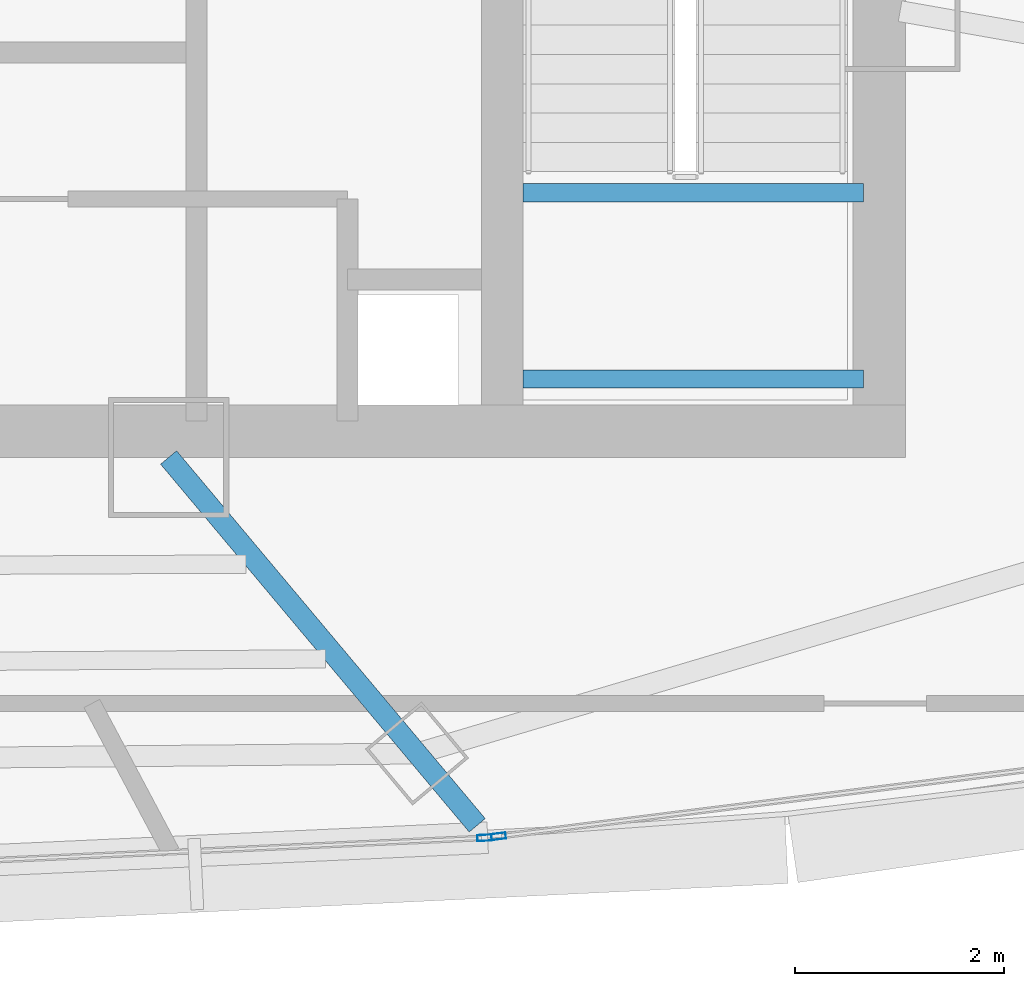
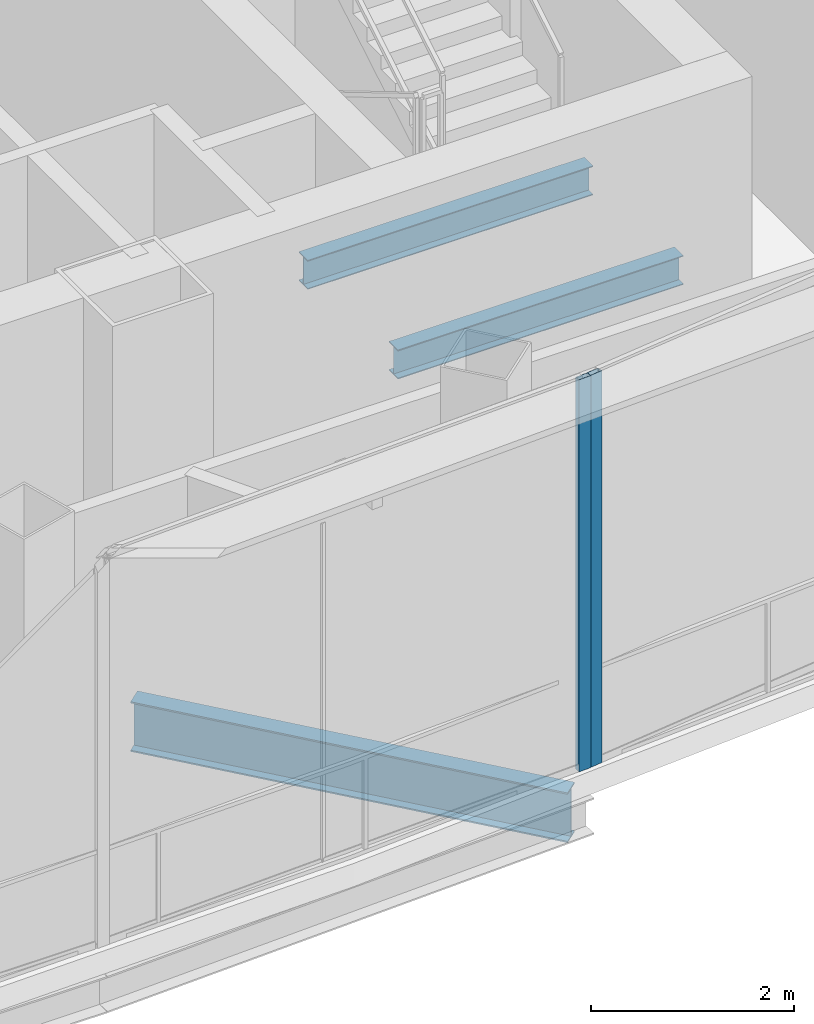
# One storey, part 10 of 29: 3 beams, 2 members, 2 elements without a shape of their own.
"""IFC4 building model written with IfcOpenShell, lengths in metres."""

from ifc_helpers import new_model, si_unit, direction, frame, origin, origin_2d, place, context, subcontext, project, spatial, hollow_rectangle, i_section, extrude, source, transform, mapped, material, layer, layer_set, material_profile, profile_set, type_object, element, aggregate, save


model = new_model("IFC4")

# Units and contexts
model_context = context("Model", 3, precision=1e-05, world=origin(), true_north=direction((0.0, 1.0)))
body_context = subcontext(model_context, "Body", "Model", "MODEL_VIEW")
ifc_project = project(units=[si_unit("LENGTHUNIT", "METRE"), si_unit("AREAUNIT", "SQUARE_METRE"), si_unit("VOLUMEUNIT", "CUBIC_METRE"), si_unit("PLANEANGLEUNIT", "RADIAN"), si_unit("MASSUNIT", "GRAM", prefix="KILO"), si_unit("THERMODYNAMICTEMPERATUREUNIT", "KELVIN"), si_unit("POWERUNIT", "WATT")], contexts=[model_context])

# Site, building, storey
site_placement = place(None, origin())
site = spatial("IfcSite", under=ifc_project, at=site_placement, CompositionType="ELEMENT")
building_placement = place(site_placement, origin())
building = spatial("IfcBuilding", under=site, at=building_placement, Name="Yunzhuo Pagoda Commons", CompositionType="ELEMENT")
storey_placement = place(building_placement, frame((0.0, 0.0, 366.760009765625)))
storey = spatial("IfcBuildingStorey", under=building, at=storey_placement, Name="L92", CompositionType="ELEMENT", Elevation=366.760009765625)

# Beams
ifc_material_1 = material(Name="Structural steel Q355B", Category="steel")
ifc_material_profile_1 = material_profile(ifc_material_1, i_section(OverallWidth=0.175048828125, OverallDepth=0.35009765625, WebThickness=0.007080078125, FlangeThickness=0.010986328125, at=origin_2d()), Name="Structural steel Q355B")
ifc_profile_set_1 = profile_set([ifc_material_profile_1], Name="Structural steel Q355B")
beam_type_1 = type_object("IfcBeamType", Name="B-JS2 Joist HN 350x175x7x11", PredefinedType="JOIST", material=ifc_profile_set_1)
shared_shape_1 = source(origin(), body_context, "Body", "SweptSolid", [
    extrude(i_section(OverallWidth=0.175048828125, OverallDepth=0.35009765625, WebThickness=0.007080078125, FlangeThickness=0.010986328125, at=origin_2d()), origin(), (0.0, 0.0, 1.0), 3.25),
])
for number, where, z_axis, x_axis, name in (
    (1, (56.800048828125, 28.0, 2.125), (1.0, 0.0, 0.0), (0.0, 1.0, 0.0), "L92 ST2 landing support beam 98A"),
    (2, (56.800048828125, 29.780029296875, 2.125), (1.0, 0.0, 0.0), (0.0, 1.0, 0.0), "L92 ST2 landing support beam 98B"),
):
    element("IfcBeam", number, at=place(storey_placement, frame(where, z_axis=z_axis, x_axis=x_axis)), inside=storey, type_object=beam_type_1, Name=name, PredefinedType="JOIST", context=body_context, shape_type="MappedRepresentation", body=[
        mapped(shared_shape_1, transform((0.0, 0.0, 0.0), scale=1.0)),
    ])
ifc_material_profile_2 = material_profile(ifc_material_1, i_section(OverallWidth=0.199951171875, OverallDepth=0.60009765625, WebThickness=0.010986328125, FlangeThickness=0.01708984375, at=origin_2d()), Name="Structural steel Q355B")
ifc_profile_set_2 = profile_set([ifc_material_profile_2], Name="Structural steel Q355B")
beam_type_2 = type_object("IfcBeamType", Name="B-RG3 Beam HN 600x200x11x17", PredefinedType="BEAM", material=ifc_profile_set_2)
shared_shape_2 = source(origin(), body_context, "Body", "SweptSolid", [
    extrude(i_section(OverallWidth=0.199951171875, OverallDepth=0.60009765625, WebThickness=0.010986328125, FlangeThickness=0.01708984375, at=origin_2d()), origin(), (0.0, 0.0, 1.0), 4.587158203125),
])
beam_placement = place(storey_placement, frame((56.360595703125, 23.736083984375, -0.580078125), z_axis=(-0.642782581433, 0.766048662297, 0.0), x_axis=(-0.766048662297, -0.642782581433, 0.0)))
element("IfcBeam", 3, at=beam_placement, inside=storey, type_object=beam_type_2, Name="L92 radial floor girder F1C4", PredefinedType="BEAM", context=body_context, shape_type="MappedRepresentation", body=[
    mapped(shared_shape_2, transform((0.0, 0.0, 0.0), scale=1.0)),
])

# Curtain wall, member
ifc_material_2 = material(Name="Anodized aluminium 6063-T6", Category="aluminium")
ifc_layer = layer(ifc_material_2, 0.139892578125)
ifc_layer_set = layer_set([ifc_layer], Name="Anodized aluminium 6063-T6")
curtain_wall_type = type_object("IfcCurtainWallType", Name="CW-HI High-Zone Ribbon Curtain Wall", PredefinedType="NOTDEFINED", material=ifc_layer_set)
curtain_wall_1_placement = place(storey_placement, origin())
curtain_wall_1 = element("IfcCurtainWall", 4, at=curtain_wall_1_placement, inside=storey, type_object=curtain_wall_type, Name="L92 curtain wall CW-L92-F1B4", PredefinedType="NOTDEFINED")
ifc_material_profile_3 = material_profile(ifc_material_2, hollow_rectangle(XDim=0.06005859375, YDim=0.139892578125, WallThickness=0.00341796875, at=origin_2d()), Name="Anodized aluminium 6063-T6")
ifc_profile_set_3 = profile_set([ifc_material_profile_3], Name="Anodized aluminium 6063-T6")
member_type = type_object("IfcMemberType", Name="CW-HI-M Mullion RHS 140x60x3.5", PredefinedType="MULLION", material=ifc_profile_set_3)
shared_shape_3 = source(origin(), body_context, "Body", "SweptSolid", [
    extrude(hollow_rectangle(XDim=0.06005859375, YDim=0.139892578125, WallThickness=0.00341796875, at=origin_2d()), origin(), (0.0, 0.0, 1.0), 4.72021484375),
])
member_1_placement = place(storey_placement, frame((56.430419921875, 23.615966796875, 0.0), z_axis=(0.0, 0.0, 1.0), x_axis=(-0.045423590186, 0.998967816025, 0.0)))
member_1 = element("IfcMember", 5, at=member_1_placement, type_object=member_type, Name="CW mullion 2", PredefinedType="MULLION", context=body_context, shape_type="MappedRepresentation", body=[
    mapped(shared_shape_3, transform((0.0, 0.0, 0.0), scale=1.0)),
])
aggregate(curtain_wall_1, [member_1])

curtain_wall_2_placement = place(storey_placement, origin())
curtain_wall_2 = element("IfcCurtainWall", 6, at=curtain_wall_2_placement, inside=storey, type_object=curtain_wall_type, Name="L92 curtain wall CW-L92-F1B5", PredefinedType="NOTDEFINED")
member_2_placement = place(storey_placement, frame((56.564453125, 23.63037109375, 0.0), z_axis=(0.0, 0.0, 1.0), x_axis=(-0.124712184848, 0.992192960543, 0.0)))
member_2 = element("IfcMember", 7, at=member_2_placement, type_object=member_type, Name="CW mullion 1", PredefinedType="MULLION", context=body_context, shape_type="MappedRepresentation", body=[
    mapped(shared_shape_3, transform((0.0, 0.0, 0.0), scale=1.0)),
])
aggregate(curtain_wall_2, [member_2])

save(model, "model.ifc")
